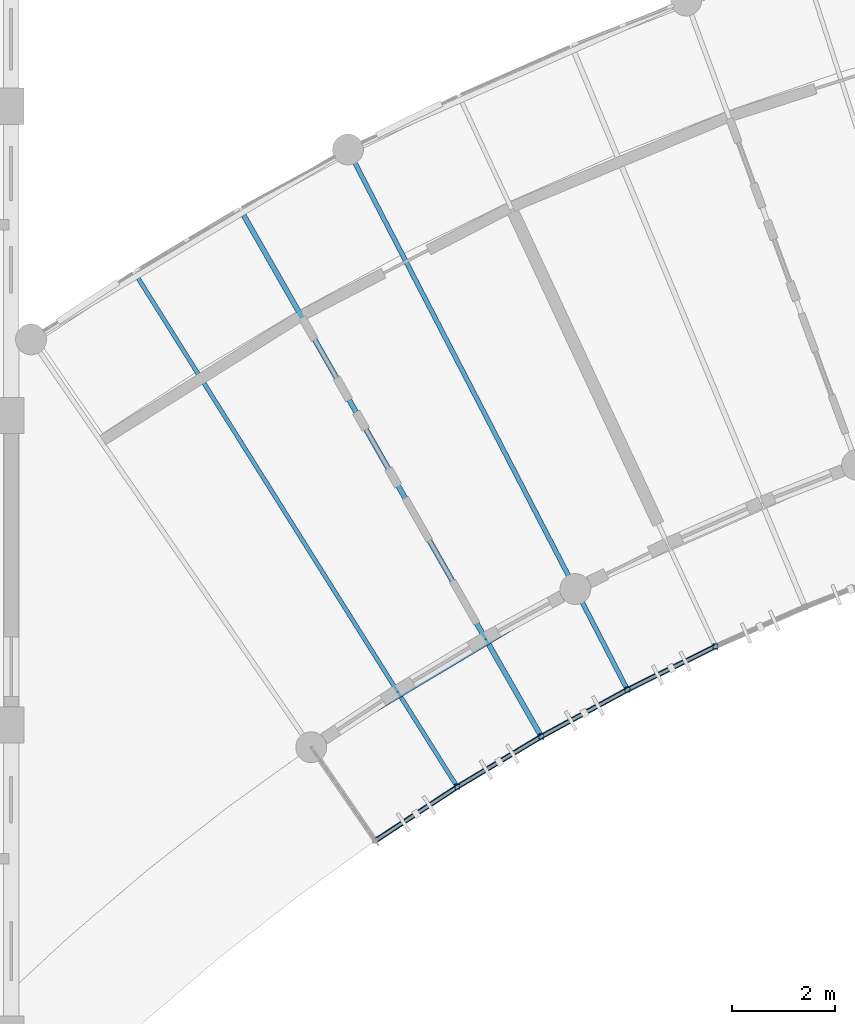
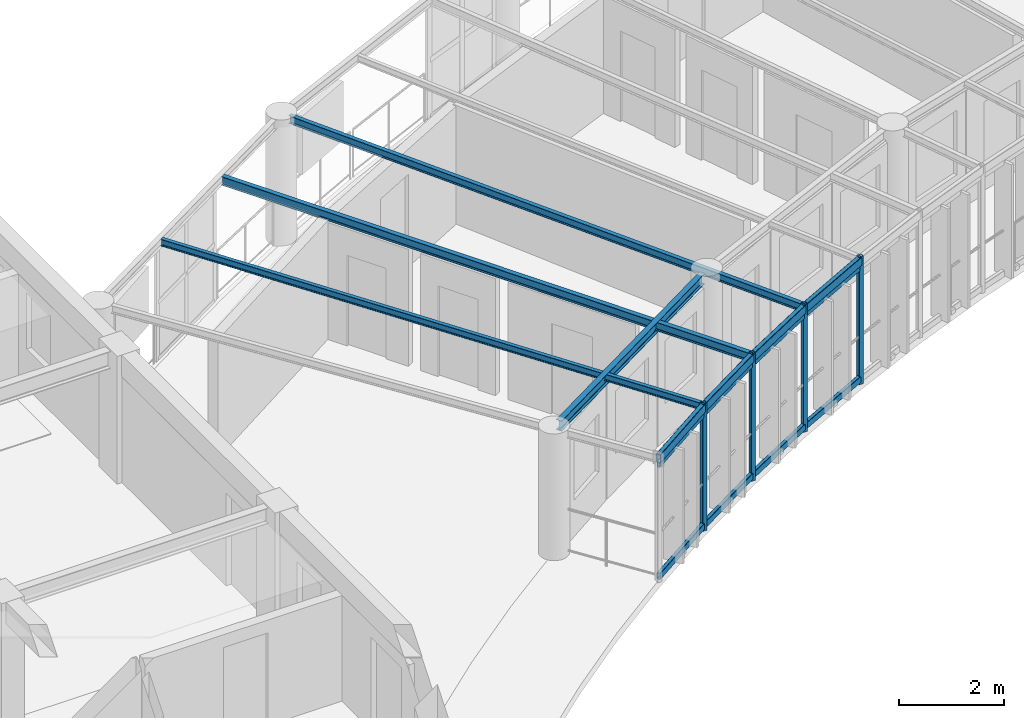
# One storey, part 27 of 101: 12 members, 8 beams.
"""IFC4 building model written with IfcOpenShell, lengths in metres."""

from ifc_helpers import new_model, si_unit, direction, frame, origin, origin_2d, place, context, subcontext, project, spatial, hollow_rectangle, i_section, extrude, material, material_profile, profile_set, type_object, element, save


model = new_model("IFC4")

# Units and contexts
model_context = context("Model", 3, precision=1e-05, world=origin(), true_north=direction((0.0, 1.0)))
body_context = subcontext(model_context, "Body", "Model", "MODEL_VIEW")
ifc_project = project(units=[si_unit("LENGTHUNIT", "METRE"), si_unit("AREAUNIT", "SQUARE_METRE"), si_unit("VOLUMEUNIT", "CUBIC_METRE"), si_unit("PLANEANGLEUNIT", "RADIAN"), si_unit("MASSUNIT", "GRAM", prefix="KILO"), si_unit("POWERUNIT", "WATT"), si_unit("THERMODYNAMICTEMPERATUREUNIT", "KELVIN")], contexts=[model_context])

# Site, building, storey
site_placement = place(None, origin())
site = spatial("IfcSite", under=ifc_project, at=site_placement, CompositionType="ELEMENT")
building_placement = place(site_placement, origin())
building = spatial("IfcBuilding", under=site, at=building_placement, Name="Ruvembo Vaulted Housing Court", CompositionType="ELEMENT")
storey_placement = place(building_placement, frame((0.0, 0.0, 17.300048828125)))
storey = spatial("IfcBuildingStorey", under=building, at=storey_placement, Name="L05", CompositionType="ELEMENT", Elevation=17.300048828125)

# Beams
ifc_material = material(Name="Steel S355J2", Category="steel")
ifc_material_profile_1 = material_profile(ifc_material, i_section(OverallWidth=0.08203125, OverallDepth=0.159912109375, WebThickness=0.0048828125, FlangeThickness=0.00732421875, FilletRadius=0.009033203125, at=origin_2d()), Name="IPE 160")
ifc_profile_set_1 = profile_set([ifc_material_profile_1], Name="Steel S355J2")
beam_type_1 = type_object("IfcBeamType", Name="BM-ST-IPE160", PredefinedType="JOIST", material=ifc_profile_set_1)
beam_1_placement = place(storey_placement, frame((86.4638671875, 98.66357421875, 2.85205078125), z_axis=(0.531511049351, -0.847051358784, 0.0), x_axis=(0.847051358784, 0.531511049351, 0.0)))
element("IfcBeam", 1, at=beam_1_placement, inside=storey, type_object=beam_type_1, Name="Scoop SC3 L05 Radial Steel Joist 1", PredefinedType="JOIST", context=body_context, shape_type="SweptSolid", body=[
    extrude(i_section(OverallWidth=0.08203125, OverallDepth=0.159912109375, WebThickness=0.0048828125, FlangeThickness=0.00732421875, FilletRadius=0.009033203125, at=origin_2d()), origin(), (0.0, 0.0, 1.0), 11.69091796875),
])
ifc_material_profile_2 = material_profile(ifc_material, i_section(OverallWidth=0.091064453125, OverallDepth=0.179931640625, WebThickness=0.00537109375, FlangeThickness=0.008056640625, FilletRadius=0.009033203125, at=origin_2d()), Name="IPE 180")
ifc_profile_set_2 = profile_set([ifc_material_profile_2], Name="Steel S355J2")
beam_type_2 = type_object("IfcBeamType", Name="BM-ST-IPE180", PredefinedType="JOIST", material=ifc_profile_set_2)
beam_2_placement = place(storey_placement, frame((90.623291015625, 100.991943359375, 2.842041015625), z_axis=(0.459443442446, -0.888207027214, 0.0), x_axis=(0.888207027214, 0.459443442446, 0.0)))
element("IfcBeam", 2, at=beam_2_placement, inside=storey, type_object=beam_type_2, Name="Scoop SC3 L05 Radial Steel Joist 3", PredefinedType="JOIST", context=body_context, shape_type="SweptSolid", body=[
    extrude(i_section(OverallWidth=0.091064453125, OverallDepth=0.179931640625, WebThickness=0.00537109375, FlangeThickness=0.008056640625, FilletRadius=0.009033203125, at=origin_2d()), origin(), (0.0, 0.0, 1.0), 11.650146484375),
])
ifc_material_profile_3 = material_profile(ifc_material, i_section(OverallWidth=0.10009765625, OverallDepth=0.199951171875, WebThickness=0.005615234375, FlangeThickness=0.008544921875, FilletRadius=0.011962890625, at=origin_2d()), Name="IPE 200")
ifc_profile_set_3 = profile_set([ifc_material_profile_3], Name="Steel S355J2")
beam_type_3 = type_object("IfcBeamType", Name="BM-ST-IPE200", PredefinedType="BEAM", material=ifc_profile_set_3)
beam_3_placement = place(storey_placement, frame((88.509521484375, 99.888916015625, 2.83203125), z_axis=(0.495907280655, -0.868375476965, 0.0), x_axis=(0.868375476965, 0.495907280655, 0.0)))
element("IfcBeam", 3, at=beam_3_placement, inside=storey, type_object=beam_type_3, Name="Scoop SC3 L05 Radial Steel Joist 2", PredefinedType="BEAM", context=body_context, shape_type="SweptSolid", body=[
    extrude(i_section(OverallWidth=0.10009765625, OverallDepth=0.199951171875, WebThickness=0.005615234375, FlangeThickness=0.008544921875, FilletRadius=0.011962890625, at=origin_2d()), origin(), (0.0, 0.0, 1.0), 11.69091796875),
])
ifc_material_profile_4 = material_profile(ifc_material, i_section(OverallWidth=0.1201171875, OverallDepth=0.239990234375, WebThickness=0.006103515625, FlangeThickness=0.009765625, FilletRadius=0.014892578125, at=origin_2d()), Name="IPE 240")
ifc_profile_set_4 = profile_set([ifc_material_profile_4], Name="Steel S355J2")
beam_type_4 = type_object("IfcBeamType", Name="BM-ST-IPE240", PredefinedType="BEAM", material=ifc_profile_set_4)
beam_4_placement = place(storey_placement, frame((89.98486328125, 89.662109375, 2.81396484375), z_axis=(0.857889328385, 0.513834506668, 0.0), x_axis=(-0.513834506668, 0.857889328385, 0.0)))
element("IfcBeam", 4, at=beam_4_placement, inside=storey, type_object=beam_type_4, Name="Scoop SC3 L05 Chord Girder F0", PredefinedType="BEAM", context=body_context, shape_type="SweptSolid", body=[
    extrude(i_section(OverallWidth=0.1201171875, OverallDepth=0.239990234375, WebThickness=0.006103515625, FlangeThickness=0.009765625, FilletRadius=0.014892578125, at=origin_2d()), origin(), (0.0, 0.0, 1.0), 5.59375),
])
ifc_material_profile_5 = material_profile(ifc_material, hollow_rectangle(XDim=0.10009765625, YDim=0.199951171875, WallThickness=0.008056640625, InnerFilletRadius=0.008056640625, OuterFilletRadius=0.01611328125, at=origin_2d()), Name="RHS 200x100x8")
ifc_profile_set_5 = profile_set([ifc_material_profile_5], Name="Steel S355J2")
beam_type_5 = type_object("IfcBeamType", Name="BM-ST-RHS200", PredefinedType="SPANDREL", material=ifc_profile_set_5)
for number, where, z_axis, x_axis, name in (
    (5, (91.0673828125, 87.751220703125, 2.83203125), (0.835902452778, 0.548878027834, 0.0), (-0.548878027834, 0.835902452778, 0.0), "Scoop SC3 L05 Balcony Edge Spandrel 0"),
    (6, (92.656494140625, 88.794677734375, 2.83203125), (0.857889282303, 0.513834583607, 0.0), (-0.513834583607, 0.857889282303, 0.0), "Scoop SC3 L05 Balcony Edge Spandrel 1"),
    (7, (94.287353515625, 89.771484375, 2.83203125), (0.878513214386, 0.477718046706, 0.0), (-0.477718046706, 0.878513214386, 0.0), "Scoop SC3 L05 Balcony Edge Spandrel 2"),
    (8, (95.95751953125, 90.6796875, 2.83203125), (0.897513310314, 0.44098736695, 0.0), (-0.44098736695, 0.897513310314, 0.0), "Scoop SC3 L05 Balcony Edge Spandrel 3"),
):
    element("IfcBeam", number, at=place(storey_placement, frame(where, z_axis=z_axis, x_axis=x_axis)), inside=storey, type_object=beam_type_5, Name=name, PredefinedType="SPANDREL", context=body_context, shape_type="SweptSolid", body=[
        extrude(hollow_rectangle(XDim=0.10009765625, YDim=0.199951171875, WallThickness=0.008056640625, InnerFilletRadius=0.008056640625, OuterFilletRadius=0.01611328125, at=origin_2d()), origin(), (0.0, 0.0, 1.0), 1.901123046875),
    ])

# Members
ifc_material_profile_6 = material_profile(ifc_material, hollow_rectangle(XDim=0.06005859375, YDim=0.1201171875, WallThickness=0.0048828125, InnerFilletRadius=0.0048828125, OuterFilletRadius=0.010009765625, at=origin_2d()), Name="RHS 120x60x5")
ifc_profile_set_6 = profile_set([ifc_material_profile_6], Name="Steel S355J2")
member_type_1 = type_object("IfcMemberType", Name="MEM-CAR-RHS120", PredefinedType="CHORD", material=ifc_profile_set_6)
for number, where, z_axis, x_axis, name in (
    (9, (91.0673828125, 87.751220703125, 2.675048828125), (0.835902452778, 0.548878027834, 0.0), (-0.548878027834, 0.835902452778, 0.0), "Scoop SC3 L05 Upper Louvre Carrier Rail 0"),
    (10, (92.656494140625, 88.794677734375, 2.675048828125), (0.857889282303, 0.513834583607, 0.0), (-0.513834583607, 0.857889282303, 0.0), "Scoop SC3 L05 Upper Louvre Carrier Rail 1"),
    (11, (94.287353515625, 89.771484375, 2.675048828125), (0.878513214386, 0.477718046706, 0.0), (-0.477718046706, 0.878513214386, 0.0), "Scoop SC3 L05 Upper Louvre Carrier Rail 2"),
    (12, (95.95751953125, 90.6796875, 2.675048828125), (0.897513310314, 0.44098736695, 0.0), (-0.44098736695, 0.897513310314, 0.0), "Scoop SC3 L05 Upper Louvre Carrier Rail 3"),
):
    element("IfcMember", number, at=place(storey_placement, frame(where, z_axis=z_axis, x_axis=x_axis)), inside=storey, type_object=member_type_1, Name=name, PredefinedType="CHORD", context=body_context, shape_type="SweptSolid", body=[
        extrude(hollow_rectangle(XDim=0.06005859375, YDim=0.1201171875, WallThickness=0.0048828125, InnerFilletRadius=0.0048828125, OuterFilletRadius=0.010009765625, at=origin_2d()), origin(), (0.0, 0.0, 1.0), 1.901123046875),
    ])
ifc_material_profile_7 = material_profile(ifc_material, hollow_rectangle(XDim=0.080078125, YDim=0.14990234375, WallThickness=0.00634765625, InnerFilletRadius=0.00634765625, OuterFilletRadius=0.0126953125, at=origin_2d()), Name="RHS 150x80x6.3")
ifc_profile_set_7 = profile_set([ifc_material_profile_7], Name="Steel S355J2")
member_type_2 = type_object("IfcMemberType", Name="MEM-CAR-RHS150", PredefinedType="CHORD", material=ifc_profile_set_7)
for number, where, z_axis, x_axis, name in (
    (13, (91.0673828125, 87.751220703125, 0.094970703125), (0.835902452778, 0.548878027834, 0.0), (-0.548878027834, 0.835902452778, 0.0), "Scoop SC3 L05 Lower Louvre Carrier Rail 0"),
    (14, (92.656494140625, 88.794677734375, 0.094970703125), (0.857889282303, 0.513834583607, 0.0), (-0.513834583607, 0.857889282303, 0.0), "Scoop SC3 L05 Lower Louvre Carrier Rail 1"),
    (15, (94.287353515625, 89.771484375, 0.094970703125), (0.878513214386, 0.477718046706, 0.0), (-0.477718046706, 0.878513214386, 0.0), "Scoop SC3 L05 Lower Louvre Carrier Rail 2"),
    (16, (95.95751953125, 90.6796875, 0.094970703125), (0.897513310314, 0.44098736695, 0.0), (-0.44098736695, 0.897513310314, 0.0), "Scoop SC3 L05 Lower Louvre Carrier Rail 3"),
):
    element("IfcMember", number, at=place(storey_placement, frame(where, z_axis=z_axis, x_axis=x_axis)), inside=storey, type_object=member_type_2, Name=name, PredefinedType="CHORD", context=body_context, shape_type="SweptSolid", body=[
        extrude(hollow_rectangle(XDim=0.080078125, YDim=0.14990234375, WallThickness=0.00634765625, InnerFilletRadius=0.00634765625, OuterFilletRadius=0.0126953125, at=origin_2d()), origin(), (0.0, 0.0, 1.0), 1.901123046875),
    ])
ifc_material_profile_8 = material_profile(ifc_material, hollow_rectangle(XDim=0.10009765625, YDim=0.10009765625, WallThickness=0.00634765625, InnerFilletRadius=0.00634765625, OuterFilletRadius=0.0126953125, at=origin_2d()), Name="SHS 100x100x6.3")
ifc_profile_set_8 = profile_set([ifc_material_profile_8], Name="Steel S355J2")
member_type_3 = type_object("IfcMemberType", Name="MEM-FRM-SHS100", PredefinedType="STRUT", material=ifc_profile_set_8)
for number, where, z_axis, x_axis, name in (
    (17, (92.656494140625, 88.794677734375, -0.01513671875), (0.0, 0.0, 1.0), (1.0, 0.0, 0.0), "Scoop SC3 L05 Louvre Frame Post 1"),
    (18, (94.287353515625, 89.771484375, -0.01513671875), (0.0, 0.0, 1.0), (1.0, 0.0, 0.0), "Scoop SC3 L05 Louvre Frame Post 2"),
    (19, (95.95751953125, 90.6796875, -0.01513671875), (0.0, 0.0, 1.0), (1.0, 0.0, 0.0), "Scoop SC3 L05 Louvre Frame Post 3"),
    (20, (97.663818359375, 91.51806640625, -0.01513671875), (0.0, 0.0, 1.0), (1.0, 0.0, 0.0), "Scoop SC3 L05 Louvre Frame Post 4"),
):
    element("IfcMember", number, at=place(storey_placement, frame(where, z_axis=z_axis, x_axis=x_axis)), inside=storey, type_object=member_type_3, Name=name, PredefinedType="STRUT", context=body_context, shape_type="SweptSolid", body=[
        extrude(hollow_rectangle(XDim=0.10009765625, YDim=0.10009765625, WallThickness=0.00634765625, InnerFilletRadius=0.00634765625, OuterFilletRadius=0.0126953125, at=origin_2d()), origin(), (0.0, 0.0, 1.0), 2.953125),
    ])

save(model, "model.ifc")
